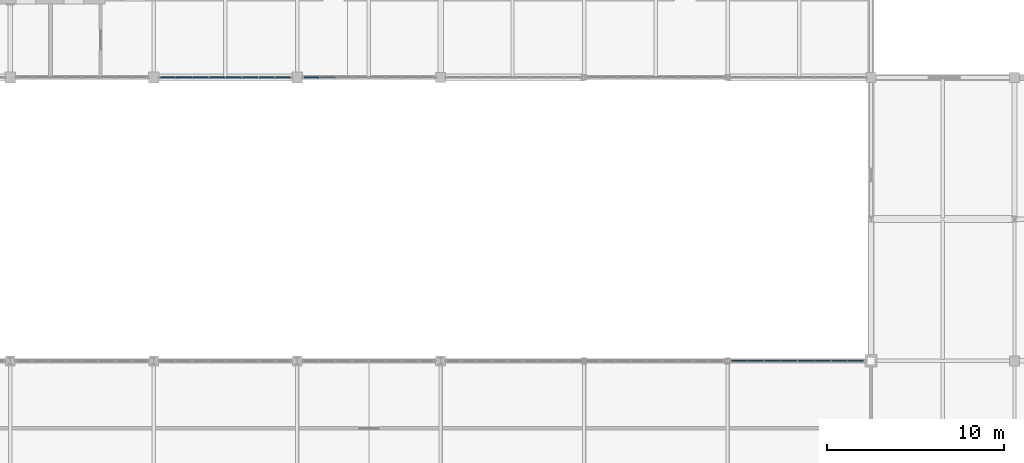
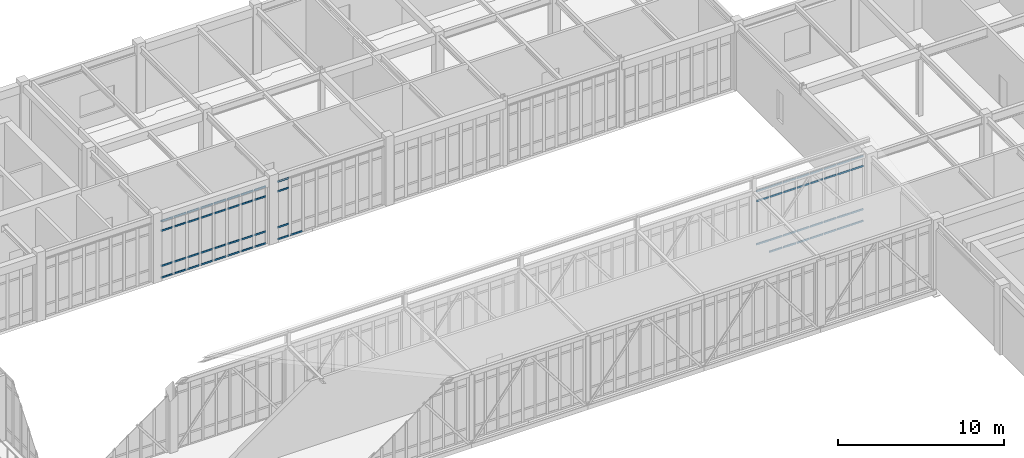
# One storey, part 61 of 107: 68 members, 3 elements without a shape of their own.
"""IFC4 building model written with IfcOpenShell, lengths in metres."""

from ifc_helpers import new_model, si_unit, direction, frame, origin, origin_2d, place, context, subcontext, project, spatial, rectangle, extrude, material, material_profile, profile_set, type_object, element, aggregate, save


model = new_model("IFC4")

# Units and contexts
model_context = context("Model", 3, precision=1e-05, world=origin(), true_north=direction((0.0, 1.0)))
body_context = subcontext(model_context, "Body", "Model", "MODEL_VIEW")
ifc_project = project(units=[si_unit("LENGTHUNIT", "METRE"), si_unit("AREAUNIT", "SQUARE_METRE"), si_unit("VOLUMEUNIT", "CUBIC_METRE"), si_unit("PLANEANGLEUNIT", "RADIAN"), si_unit("MASSUNIT", "GRAM", prefix="KILO")], contexts=[model_context])

# Site, building, storey
site_placement = place(None, origin())
site = spatial("IfcSite", under=ifc_project, at=site_placement, CompositionType="ELEMENT")
building_placement = place(site_placement, origin())
building = spatial("IfcBuilding", under=site, at=building_placement, Name="Tarnveldt Square Police Headquarters", CompositionType="ELEMENT")
storey_placement = place(building_placement, frame((0.0, 0.0, 14.699951171875)))
storey = spatial("IfcBuildingStorey", under=building, at=storey_placement, Name="L03", CompositionType="ELEMENT", Elevation=14.699951171875)

# Curtain wall, members
ifc_material_1 = material(Name="Triple-glazed low-e laminated vision glass", Category="glass")
curtain_wall_type_1 = type_object("IfcCurtainWallType", Name="CW-LB-747x423", PredefinedType="USERDEFINED", material=ifc_material_1)
curtain_wall_1_placement = place(storey_placement, origin())
curtain_wall_1 = element("IfcCurtainWall", 1, at=curtain_wall_1_placement, inside=storey, type_object=curtain_wall_type_1, Name="L03 Curtain Wall CW-L03-121", ObjectType="GLAZED CURTAIN WALL", PredefinedType="USERDEFINED")
ifc_material_2 = material(Name="Thermally broken anodised aluminium 6063-T6", Category="aluminium")
ifc_material_profile = material_profile(ifc_material_2, rectangle(XDim=0.06494140625, YDim=0.1201171875, at=origin_2d()), Name="CW-T65x120")
ifc_profile_set = profile_set([ifc_material_profile], Name="Thermally broken anodised aluminium 6063-T6")
member_type = type_object("IfcMemberType", Name="CWT-65x120", PredefinedType="USERDEFINED", material=ifc_profile_set)
member_1_placement = place(storey_placement, frame((65.18994140625, 96.0, 0.032470703125), z_axis=(1.0, 0.0, 0.0), x_axis=(0.0, 1.0, 0.0)))
member_1 = element("IfcMember", 2, at=member_1_placement, type_object=member_type, Name="CW-LB72 transom 1.1", ObjectType="TRANSOM", PredefinedType="USERDEFINED", context=body_context, shape_type="SweptSolid", body=[
    extrude(rectangle(XDim=0.06494140625, YDim=0.1201171875, at=origin_2d()), origin(), (0.0, 0.0, 1.0), 0.8212890625),
])
member_2_placement = place(storey_placement, frame((65.18994140625, 96.0, 0.900146484375), z_axis=(1.0, 0.0, 0.0), x_axis=(0.0, 1.0, 0.0)))
member_2 = element("IfcMember", 3, at=member_2_placement, type_object=member_type, Name="CW-LB72 transom 1.2", ObjectType="TRANSOM", PredefinedType="USERDEFINED", context=body_context, shape_type="SweptSolid", body=[
    extrude(rectangle(XDim=0.06494140625, YDim=0.1201171875, at=origin_2d()), origin(), (0.0, 0.0, 1.0), 0.8212890625),
])
member_3_placement = place(storey_placement, frame((65.18994140625, 96.0, 3.48193359375), z_axis=(1.0, 0.0, 0.0), x_axis=(0.0, 1.0, 0.0)))
member_3 = element("IfcMember", 4, at=member_3_placement, type_object=member_type, Name="CW-LB72 transom 1.3", ObjectType="TRANSOM", PredefinedType="USERDEFINED", context=body_context, shape_type="SweptSolid", body=[
    extrude(rectangle(XDim=0.06494140625, YDim=0.1201171875, at=origin_2d()), origin(), (0.0, 0.0, 1.0), 0.8212890625),
])
member_4_placement = place(storey_placement, frame((65.18994140625, 96.0, 4.199462890625), z_axis=(1.0, 0.0, 0.0), x_axis=(0.0, 1.0, 0.0)))
member_4 = element("IfcMember", 5, at=member_4_placement, type_object=member_type, Name="CW-LB72 transom 1.4", ObjectType="TRANSOM", PredefinedType="USERDEFINED", context=body_context, shape_type="SweptSolid", body=[
    extrude(rectangle(XDim=0.06494140625, YDim=0.1201171875, at=origin_2d()), origin(), (0.0, 0.0, 1.0), 0.8212890625),
])
member_5_placement = place(storey_placement, frame((66.086181640625, 96.0, 0.032470703125), z_axis=(1.0, 0.0, 0.0), x_axis=(0.0, 1.0, 0.0)))
member_5 = element("IfcMember", 6, at=member_5_placement, type_object=member_type, Name="CW-LB72 transom 2.1", ObjectType="TRANSOM", PredefinedType="USERDEFINED", context=body_context, shape_type="SweptSolid", body=[
    extrude(rectangle(XDim=0.06494140625, YDim=0.1201171875, at=origin_2d()), origin(), (0.0, 0.0, 1.0), 0.85888671875),
])
member_6_placement = place(storey_placement, frame((66.086181640625, 96.0, 0.900146484375), z_axis=(1.0, 0.0, 0.0), x_axis=(0.0, 1.0, 0.0)))
member_6 = element("IfcMember", 7, at=member_6_placement, type_object=member_type, Name="CW-LB72 transom 2.2", ObjectType="TRANSOM", PredefinedType="USERDEFINED", context=body_context, shape_type="SweptSolid", body=[
    extrude(rectangle(XDim=0.06494140625, YDim=0.1201171875, at=origin_2d()), origin(), (0.0, 0.0, 1.0), 0.85888671875),
])
member_7_placement = place(storey_placement, frame((66.086181640625, 96.0, 3.48193359375), z_axis=(1.0, 0.0, 0.0), x_axis=(0.0, 1.0, 0.0)))
member_7 = element("IfcMember", 8, at=member_7_placement, type_object=member_type, Name="CW-LB72 transom 2.3", ObjectType="TRANSOM", PredefinedType="USERDEFINED", context=body_context, shape_type="SweptSolid", body=[
    extrude(rectangle(XDim=0.06494140625, YDim=0.1201171875, at=origin_2d()), origin(), (0.0, 0.0, 1.0), 0.85888671875),
])
member_8_placement = place(storey_placement, frame((66.086181640625, 96.0, 4.199462890625), z_axis=(1.0, 0.0, 0.0), x_axis=(0.0, 1.0, 0.0)))
member_8 = element("IfcMember", 9, at=member_8_placement, type_object=member_type, Name="CW-LB72 transom 2.4", ObjectType="TRANSOM", PredefinedType="USERDEFINED", context=body_context, shape_type="SweptSolid", body=[
    extrude(rectangle(XDim=0.06494140625, YDim=0.1201171875, at=origin_2d()), origin(), (0.0, 0.0, 1.0), 0.85888671875),
])
member_9_placement = place(storey_placement, frame((67.02001953125, 96.0, 0.032470703125), z_axis=(1.0, 0.0, 0.0), x_axis=(0.0, 1.0, 0.0)))
member_9 = element("IfcMember", 10, at=member_9_placement, type_object=member_type, Name="CW-LB72 transom 3.1", ObjectType="TRANSOM", PredefinedType="USERDEFINED", context=body_context, shape_type="SweptSolid", body=[
    extrude(rectangle(XDim=0.06494140625, YDim=0.1201171875, at=origin_2d()), origin(), (0.0, 0.0, 1.0), 0.858642578125),
])
member_10_placement = place(storey_placement, frame((67.02001953125, 96.0, 0.900146484375), z_axis=(1.0, 0.0, 0.0), x_axis=(0.0, 1.0, 0.0)))
member_10 = element("IfcMember", 11, at=member_10_placement, type_object=member_type, Name="CW-LB72 transom 3.2", ObjectType="TRANSOM", PredefinedType="USERDEFINED", context=body_context, shape_type="SweptSolid", body=[
    extrude(rectangle(XDim=0.06494140625, YDim=0.1201171875, at=origin_2d()), origin(), (0.0, 0.0, 1.0), 0.858642578125),
])
member_11_placement = place(storey_placement, frame((67.02001953125, 96.0, 3.48193359375), z_axis=(1.0, 0.0, 0.0), x_axis=(0.0, 1.0, 0.0)))
member_11 = element("IfcMember", 12, at=member_11_placement, type_object=member_type, Name="CW-LB72 transom 3.3", ObjectType="TRANSOM", PredefinedType="USERDEFINED", context=body_context, shape_type="SweptSolid", body=[
    extrude(rectangle(XDim=0.06494140625, YDim=0.1201171875, at=origin_2d()), origin(), (0.0, 0.0, 1.0), 0.858642578125),
])
member_12_placement = place(storey_placement, frame((67.02001953125, 96.0, 4.199462890625), z_axis=(1.0, 0.0, 0.0), x_axis=(0.0, 1.0, 0.0)))
member_12 = element("IfcMember", 13, at=member_12_placement, type_object=member_type, Name="CW-LB72 transom 3.4", ObjectType="TRANSOM", PredefinedType="USERDEFINED", context=body_context, shape_type="SweptSolid", body=[
    extrude(rectangle(XDim=0.06494140625, YDim=0.1201171875, at=origin_2d()), origin(), (0.0, 0.0, 1.0), 0.858642578125),
])
member_13_placement = place(storey_placement, frame((67.953857421875, 96.0, 0.032470703125), z_axis=(1.0, 0.0, 0.0), x_axis=(0.0, 1.0, 0.0)))
member_13 = element("IfcMember", 14, at=member_13_placement, type_object=member_type, Name="CW-LB72 transom 4.1", ObjectType="TRANSOM", PredefinedType="USERDEFINED", context=body_context, shape_type="SweptSolid", body=[
    extrude(rectangle(XDim=0.06494140625, YDim=0.1201171875, at=origin_2d()), origin(), (0.0, 0.0, 1.0), 0.858642578125),
])
member_14_placement = place(storey_placement, frame((67.953857421875, 96.0, 0.900146484375), z_axis=(1.0, 0.0, 0.0), x_axis=(0.0, 1.0, 0.0)))
member_14 = element("IfcMember", 15, at=member_14_placement, type_object=member_type, Name="CW-LB72 transom 4.2", ObjectType="TRANSOM", PredefinedType="USERDEFINED", context=body_context, shape_type="SweptSolid", body=[
    extrude(rectangle(XDim=0.06494140625, YDim=0.1201171875, at=origin_2d()), origin(), (0.0, 0.0, 1.0), 0.858642578125),
])
member_15_placement = place(storey_placement, frame((67.953857421875, 96.0, 3.48193359375), z_axis=(1.0, 0.0, 0.0), x_axis=(0.0, 1.0, 0.0)))
member_15 = element("IfcMember", 16, at=member_15_placement, type_object=member_type, Name="CW-LB72 transom 4.3", ObjectType="TRANSOM", PredefinedType="USERDEFINED", context=body_context, shape_type="SweptSolid", body=[
    extrude(rectangle(XDim=0.06494140625, YDim=0.1201171875, at=origin_2d()), origin(), (0.0, 0.0, 1.0), 0.858642578125),
])
member_16_placement = place(storey_placement, frame((67.953857421875, 96.0, 4.199462890625), z_axis=(1.0, 0.0, 0.0), x_axis=(0.0, 1.0, 0.0)))
member_16 = element("IfcMember", 17, at=member_16_placement, type_object=member_type, Name="CW-LB72 transom 4.4", ObjectType="TRANSOM", PredefinedType="USERDEFINED", context=body_context, shape_type="SweptSolid", body=[
    extrude(rectangle(XDim=0.06494140625, YDim=0.1201171875, at=origin_2d()), origin(), (0.0, 0.0, 1.0), 0.858642578125),
])
member_17_placement = place(storey_placement, frame((68.887451171875, 96.0, 0.032470703125), z_axis=(1.0, 0.0, 0.0), x_axis=(0.0, 1.0, 0.0)))
member_17 = element("IfcMember", 18, at=member_17_placement, type_object=member_type, Name="CW-LB72 transom 5.1", ObjectType="TRANSOM", PredefinedType="USERDEFINED", context=body_context, shape_type="SweptSolid", body=[
    extrude(rectangle(XDim=0.06494140625, YDim=0.1201171875, at=origin_2d()), origin(), (0.0, 0.0, 1.0), 0.85888671875),
])
member_18_placement = place(storey_placement, frame((68.887451171875, 96.0, 0.900146484375), z_axis=(1.0, 0.0, 0.0), x_axis=(0.0, 1.0, 0.0)))
member_18 = element("IfcMember", 19, at=member_18_placement, type_object=member_type, Name="CW-LB72 transom 5.2", ObjectType="TRANSOM", PredefinedType="USERDEFINED", context=body_context, shape_type="SweptSolid", body=[
    extrude(rectangle(XDim=0.06494140625, YDim=0.1201171875, at=origin_2d()), origin(), (0.0, 0.0, 1.0), 0.85888671875),
])
member_19_placement = place(storey_placement, frame((68.887451171875, 96.0, 3.48193359375), z_axis=(1.0, 0.0, 0.0), x_axis=(0.0, 1.0, 0.0)))
member_19 = element("IfcMember", 20, at=member_19_placement, type_object=member_type, Name="CW-LB72 transom 5.3", ObjectType="TRANSOM", PredefinedType="USERDEFINED", context=body_context, shape_type="SweptSolid", body=[
    extrude(rectangle(XDim=0.06494140625, YDim=0.1201171875, at=origin_2d()), origin(), (0.0, 0.0, 1.0), 0.85888671875),
])
member_20_placement = place(storey_placement, frame((68.887451171875, 96.0, 4.199462890625), z_axis=(1.0, 0.0, 0.0), x_axis=(0.0, 1.0, 0.0)))
member_20 = element("IfcMember", 21, at=member_20_placement, type_object=member_type, Name="CW-LB72 transom 5.4", ObjectType="TRANSOM", PredefinedType="USERDEFINED", context=body_context, shape_type="SweptSolid", body=[
    extrude(rectangle(XDim=0.06494140625, YDim=0.1201171875, at=origin_2d()), origin(), (0.0, 0.0, 1.0), 0.85888671875),
])
member_21_placement = place(storey_placement, frame((69.8212890625, 96.0, 0.032470703125), z_axis=(1.0, 0.0, 0.0), x_axis=(0.0, 1.0, 0.0)))
member_21 = element("IfcMember", 22, at=member_21_placement, type_object=member_type, Name="CW-LB72 transom 6.1", ObjectType="TRANSOM", PredefinedType="USERDEFINED", context=body_context, shape_type="SweptSolid", body=[
    extrude(rectangle(XDim=0.06494140625, YDim=0.1201171875, at=origin_2d()), origin(), (0.0, 0.0, 1.0), 0.858642578125),
])
member_22_placement = place(storey_placement, frame((69.8212890625, 96.0, 0.900146484375), z_axis=(1.0, 0.0, 0.0), x_axis=(0.0, 1.0, 0.0)))
member_22 = element("IfcMember", 23, at=member_22_placement, type_object=member_type, Name="CW-LB72 transom 6.2", ObjectType="TRANSOM", PredefinedType="USERDEFINED", context=body_context, shape_type="SweptSolid", body=[
    extrude(rectangle(XDim=0.06494140625, YDim=0.1201171875, at=origin_2d()), origin(), (0.0, 0.0, 1.0), 0.858642578125),
])
member_23_placement = place(storey_placement, frame((69.8212890625, 96.0, 3.48193359375), z_axis=(1.0, 0.0, 0.0), x_axis=(0.0, 1.0, 0.0)))
member_23 = element("IfcMember", 24, at=member_23_placement, type_object=member_type, Name="CW-LB72 transom 6.3", ObjectType="TRANSOM", PredefinedType="USERDEFINED", context=body_context, shape_type="SweptSolid", body=[
    extrude(rectangle(XDim=0.06494140625, YDim=0.1201171875, at=origin_2d()), origin(), (0.0, 0.0, 1.0), 0.858642578125),
])
member_24_placement = place(storey_placement, frame((69.8212890625, 96.0, 4.199462890625), z_axis=(1.0, 0.0, 0.0), x_axis=(0.0, 1.0, 0.0)))
member_24 = element("IfcMember", 25, at=member_24_placement, type_object=member_type, Name="CW-LB72 transom 6.4", ObjectType="TRANSOM", PredefinedType="USERDEFINED", context=body_context, shape_type="SweptSolid", body=[
    extrude(rectangle(XDim=0.06494140625, YDim=0.1201171875, at=origin_2d()), origin(), (0.0, 0.0, 1.0), 0.858642578125),
])
member_25_placement = place(storey_placement, frame((70.7548828125, 96.0, 0.032470703125), z_axis=(1.0, 0.0, 0.0), x_axis=(0.0, 1.0, 0.0)))
member_25 = element("IfcMember", 26, at=member_25_placement, type_object=member_type, Name="CW-LB72 transom 7.1", ObjectType="TRANSOM", PredefinedType="USERDEFINED", context=body_context, shape_type="SweptSolid", body=[
    extrude(rectangle(XDim=0.06494140625, YDim=0.1201171875, at=origin_2d()), origin(), (0.0, 0.0, 1.0), 0.85888671875),
])
member_26_placement = place(storey_placement, frame((70.7548828125, 96.0, 0.900146484375), z_axis=(1.0, 0.0, 0.0), x_axis=(0.0, 1.0, 0.0)))
member_26 = element("IfcMember", 27, at=member_26_placement, type_object=member_type, Name="CW-LB72 transom 7.2", ObjectType="TRANSOM", PredefinedType="USERDEFINED", context=body_context, shape_type="SweptSolid", body=[
    extrude(rectangle(XDim=0.06494140625, YDim=0.1201171875, at=origin_2d()), origin(), (0.0, 0.0, 1.0), 0.85888671875),
])
member_27_placement = place(storey_placement, frame((70.7548828125, 96.0, 3.48193359375), z_axis=(1.0, 0.0, 0.0), x_axis=(0.0, 1.0, 0.0)))
member_27 = element("IfcMember", 28, at=member_27_placement, type_object=member_type, Name="CW-LB72 transom 7.3", ObjectType="TRANSOM", PredefinedType="USERDEFINED", context=body_context, shape_type="SweptSolid", body=[
    extrude(rectangle(XDim=0.06494140625, YDim=0.1201171875, at=origin_2d()), origin(), (0.0, 0.0, 1.0), 0.85888671875),
])
member_28_placement = place(storey_placement, frame((70.7548828125, 96.0, 4.199462890625), z_axis=(1.0, 0.0, 0.0), x_axis=(0.0, 1.0, 0.0)))
member_28 = element("IfcMember", 29, at=member_28_placement, type_object=member_type, Name="CW-LB72 transom 7.4", ObjectType="TRANSOM", PredefinedType="USERDEFINED", context=body_context, shape_type="SweptSolid", body=[
    extrude(rectangle(XDim=0.06494140625, YDim=0.1201171875, at=origin_2d()), origin(), (0.0, 0.0, 1.0), 0.85888671875),
])
member_29_placement = place(storey_placement, frame((71.688720703125, 96.0, 0.032470703125), z_axis=(1.0, 0.0, 0.0), x_axis=(0.0, 1.0, 0.0)))
member_29 = element("IfcMember", 30, at=member_29_placement, type_object=member_type, Name="CW-LB72 transom 8.1", ObjectType="TRANSOM", PredefinedType="USERDEFINED", context=body_context, shape_type="SweptSolid", body=[
    extrude(rectangle(XDim=0.06494140625, YDim=0.1201171875, at=origin_2d()), origin(), (0.0, 0.0, 1.0), 0.8212890625),
])
member_30_placement = place(storey_placement, frame((71.688720703125, 96.0, 0.900146484375), z_axis=(1.0, 0.0, 0.0), x_axis=(0.0, 1.0, 0.0)))
member_30 = element("IfcMember", 31, at=member_30_placement, type_object=member_type, Name="CW-LB72 transom 8.2", ObjectType="TRANSOM", PredefinedType="USERDEFINED", context=body_context, shape_type="SweptSolid", body=[
    extrude(rectangle(XDim=0.06494140625, YDim=0.1201171875, at=origin_2d()), origin(), (0.0, 0.0, 1.0), 0.8212890625),
])
member_31_placement = place(storey_placement, frame((71.688720703125, 96.0, 3.48193359375), z_axis=(1.0, 0.0, 0.0), x_axis=(0.0, 1.0, 0.0)))
member_31 = element("IfcMember", 32, at=member_31_placement, type_object=member_type, Name="CW-LB72 transom 8.3", ObjectType="TRANSOM", PredefinedType="USERDEFINED", context=body_context, shape_type="SweptSolid", body=[
    extrude(rectangle(XDim=0.06494140625, YDim=0.1201171875, at=origin_2d()), origin(), (0.0, 0.0, 1.0), 0.8212890625),
])
member_32_placement = place(storey_placement, frame((71.688720703125, 96.0, 4.199462890625), z_axis=(1.0, 0.0, 0.0), x_axis=(0.0, 1.0, 0.0)))
member_32 = element("IfcMember", 33, at=member_32_placement, type_object=member_type, Name="CW-LB72 transom 8.4", ObjectType="TRANSOM", PredefinedType="USERDEFINED", context=body_context, shape_type="SweptSolid", body=[
    extrude(rectangle(XDim=0.06494140625, YDim=0.1201171875, at=origin_2d()), origin(), (0.0, 0.0, 1.0), 0.8212890625),
])
aggregate(curtain_wall_1, [member_1, member_2, member_3, member_4, member_5, member_6, member_7, member_8, member_9, member_10, member_11, member_12, member_13, member_14, member_15, member_16, member_17, member_18, member_19, member_20, member_21, member_22, member_23, member_24, member_25, member_26, member_27, member_28, member_29, member_30, member_31, member_32])

curtain_wall_type_2 = type_object("IfcCurtainWallType", Name="CW-LB-749x430", PredefinedType="USERDEFINED", material=ifc_material_1)
curtain_wall_2_placement = place(storey_placement, origin())
curtain_wall_2 = element("IfcCurtainWall", 34, at=curtain_wall_2_placement, inside=storey, type_object=curtain_wall_type_2, Name="L03 Curtain Wall CW-L03-122", ObjectType="GLAZED CURTAIN WALL", PredefinedType="USERDEFINED")
member_33_placement = place(storey_placement, frame((73.2900390625, 96.0, 0.032470703125), z_axis=(1.0, 0.0, 0.0), x_axis=(0.0, 1.0, 0.0)))
member_33 = element("IfcMember", 35, at=member_33_placement, type_object=member_type, Name="CW-LB73 transom 1.1", ObjectType="TRANSOM", PredefinedType="USERDEFINED", context=body_context, shape_type="SweptSolid", body=[
    extrude(rectangle(XDim=0.06494140625, YDim=0.1201171875, at=origin_2d()), origin(), (0.0, 0.0, 1.0), 0.82421875),
])
member_34_placement = place(storey_placement, frame((73.2900390625, 96.0, 0.900146484375), z_axis=(1.0, 0.0, 0.0), x_axis=(0.0, 1.0, 0.0)))
member_34 = element("IfcMember", 36, at=member_34_placement, type_object=member_type, Name="CW-LB73 transom 1.2", ObjectType="TRANSOM", PredefinedType="USERDEFINED", context=body_context, shape_type="SweptSolid", body=[
    extrude(rectangle(XDim=0.06494140625, YDim=0.1201171875, at=origin_2d()), origin(), (0.0, 0.0, 1.0), 0.82421875),
])
member_35_placement = place(storey_placement, frame((73.2900390625, 96.0, 3.549072265625), z_axis=(1.0, 0.0, 0.0), x_axis=(0.0, 1.0, 0.0)))
member_35 = element("IfcMember", 37, at=member_35_placement, type_object=member_type, Name="CW-LB73 transom 1.3", ObjectType="TRANSOM", PredefinedType="USERDEFINED", context=body_context, shape_type="SweptSolid", body=[
    extrude(rectangle(XDim=0.06494140625, YDim=0.1201171875, at=origin_2d()), origin(), (0.0, 0.0, 1.0), 0.82421875),
])
member_36_placement = place(storey_placement, frame((73.2900390625, 96.0, 4.2666015625), z_axis=(1.0, 0.0, 0.0), x_axis=(0.0, 1.0, 0.0)))
member_36 = element("IfcMember", 38, at=member_36_placement, type_object=member_type, Name="CW-LB73 transom 1.4", ObjectType="TRANSOM", PredefinedType="USERDEFINED", context=body_context, shape_type="SweptSolid", body=[
    extrude(rectangle(XDim=0.06494140625, YDim=0.1201171875, at=origin_2d()), origin(), (0.0, 0.0, 1.0), 0.82421875),
])
member_37_placement = place(storey_placement, frame((74.189453125, 96.0, 0.032470703125), z_axis=(1.0, 0.0, 0.0), x_axis=(0.0, 1.0, 0.0)))
member_37 = element("IfcMember", 39, at=member_37_placement, type_object=member_type, Name="CW-LB73 transom 2.1", ObjectType="TRANSOM", PredefinedType="USERDEFINED", context=body_context, shape_type="SweptSolid", body=[
    extrude(rectangle(XDim=0.06494140625, YDim=0.1201171875, at=origin_2d()), origin(), (0.0, 0.0, 1.0), 0.86181640625),
])
aggregate(curtain_wall_2, [member_33, member_34, member_35, member_36, member_37])

curtain_wall_type_3 = type_object("IfcCurtainWallType", Name="CW-SB-757x484", PredefinedType="USERDEFINED", material=ifc_material_1)
curtain_wall_3_placement = place(storey_placement, origin())
curtain_wall_3 = element("IfcCurtainWall", 40, at=curtain_wall_3_placement, inside=storey, type_object=curtain_wall_type_3, Name="L03 Curtain Wall CW-L03-165", ObjectType="GLAZED CURTAIN WALL", PredefinedType="USERDEFINED")
member_38_placement = place(storey_placement, frame((97.43408203125, 80.0, 0.900146484375), z_axis=(1.0, 0.0, 0.0), x_axis=(0.0, 1.0, 0.0)))
member_38 = element("IfcMember", 41, at=member_38_placement, type_object=member_type, Name="CW-SB89 transom 1.2", ObjectType="TRANSOM", PredefinedType="USERDEFINED", context=body_context, shape_type="SweptSolid", body=[
    extrude(rectangle(XDim=0.06494140625, YDim=0.1201171875, at=origin_2d()), origin(), (0.0, 0.0, 1.0), 0.84814453125),
])
member_39_placement = place(storey_placement, frame((97.43408203125, 80.0, 4.090087890625), z_axis=(1.0, 0.0, 0.0), x_axis=(0.0, 1.0, 0.0)))
member_39 = element("IfcMember", 42, at=member_39_placement, type_object=member_type, Name="CW-SB89 transom 1.3", ObjectType="TRANSOM", PredefinedType="USERDEFINED", context=body_context, shape_type="SweptSolid", body=[
    extrude(rectangle(XDim=0.06494140625, YDim=0.1201171875, at=origin_2d()), origin(), (0.0, 0.0, 1.0), 0.84814453125),
])
member_40_placement = place(storey_placement, frame((97.43408203125, 80.0, 4.8076171875), z_axis=(1.0, 0.0, 0.0), x_axis=(0.0, 1.0, 0.0)))
member_40 = element("IfcMember", 43, at=member_40_placement, type_object=member_type, Name="CW-SB89 transom 1.4", ObjectType="TRANSOM", PredefinedType="USERDEFINED", context=body_context, shape_type="SweptSolid", body=[
    extrude(rectangle(XDim=0.06494140625, YDim=0.1201171875, at=origin_2d()), origin(), (0.0, 0.0, 1.0), 0.84814453125),
])
member_41_placement = place(storey_placement, frame((98.34716796875, 80.0, 0.032470703125), z_axis=(1.0, 0.0, 0.0), x_axis=(0.0, 1.0, 0.0)))
member_41 = element("IfcMember", 44, at=member_41_placement, type_object=member_type, Name="CW-SB89 transom 2.1", ObjectType="TRANSOM", PredefinedType="USERDEFINED", context=body_context, shape_type="SweptSolid", body=[
    extrude(rectangle(XDim=0.06494140625, YDim=0.1201171875, at=origin_2d()), origin(), (0.0, 0.0, 1.0), 0.880859375),
])
member_42_placement = place(storey_placement, frame((98.34716796875, 80.0, 0.900146484375), z_axis=(1.0, 0.0, 0.0), x_axis=(0.0, 1.0, 0.0)))
member_42 = element("IfcMember", 45, at=member_42_placement, type_object=member_type, Name="CW-SB89 transom 2.2", ObjectType="TRANSOM", PredefinedType="USERDEFINED", context=body_context, shape_type="SweptSolid", body=[
    extrude(rectangle(XDim=0.06494140625, YDim=0.1201171875, at=origin_2d()), origin(), (0.0, 0.0, 1.0), 0.880859375),
])
member_43_placement = place(storey_placement, frame((98.34716796875, 80.0, 4.090087890625), z_axis=(1.0, 0.0, 0.0), x_axis=(0.0, 1.0, 0.0)))
member_43 = element("IfcMember", 46, at=member_43_placement, type_object=member_type, Name="CW-SB89 transom 2.3", ObjectType="TRANSOM", PredefinedType="USERDEFINED", context=body_context, shape_type="SweptSolid", body=[
    extrude(rectangle(XDim=0.06494140625, YDim=0.1201171875, at=origin_2d()), origin(), (0.0, 0.0, 1.0), 0.880859375),
])
member_44_placement = place(storey_placement, frame((98.34716796875, 80.0, 4.8076171875), z_axis=(1.0, 0.0, 0.0), x_axis=(0.0, 1.0, 0.0)))
member_44 = element("IfcMember", 47, at=member_44_placement, type_object=member_type, Name="CW-SB89 transom 2.4", ObjectType="TRANSOM", PredefinedType="USERDEFINED", context=body_context, shape_type="SweptSolid", body=[
    extrude(rectangle(XDim=0.06494140625, YDim=0.1201171875, at=origin_2d()), origin(), (0.0, 0.0, 1.0), 0.880859375),
])
member_45_placement = place(storey_placement, frame((99.29296875, 80.0, 0.032470703125), z_axis=(1.0, 0.0, 0.0), x_axis=(0.0, 1.0, 0.0)))
member_45 = element("IfcMember", 48, at=member_45_placement, type_object=member_type, Name="CW-SB89 transom 3.1", ObjectType="TRANSOM", PredefinedType="USERDEFINED", context=body_context, shape_type="SweptSolid", body=[
    extrude(rectangle(XDim=0.06494140625, YDim=0.1201171875, at=origin_2d()), origin(), (0.0, 0.0, 1.0), 0.880859375),
])
member_46_placement = place(storey_placement, frame((99.29296875, 80.0, 0.900146484375), z_axis=(1.0, 0.0, 0.0), x_axis=(0.0, 1.0, 0.0)))
member_46 = element("IfcMember", 49, at=member_46_placement, type_object=member_type, Name="CW-SB89 transom 3.2", ObjectType="TRANSOM", PredefinedType="USERDEFINED", context=body_context, shape_type="SweptSolid", body=[
    extrude(rectangle(XDim=0.06494140625, YDim=0.1201171875, at=origin_2d()), origin(), (0.0, 0.0, 1.0), 0.880859375),
])
member_47_placement = place(storey_placement, frame((99.29296875, 80.0, 4.090087890625), z_axis=(1.0, 0.0, 0.0), x_axis=(0.0, 1.0, 0.0)))
member_47 = element("IfcMember", 50, at=member_47_placement, type_object=member_type, Name="CW-SB89 transom 3.3", ObjectType="TRANSOM", PredefinedType="USERDEFINED", context=body_context, shape_type="SweptSolid", body=[
    extrude(rectangle(XDim=0.06494140625, YDim=0.1201171875, at=origin_2d()), origin(), (0.0, 0.0, 1.0), 0.880859375),
])
member_48_placement = place(storey_placement, frame((99.29296875, 80.0, 4.8076171875), z_axis=(1.0, 0.0, 0.0), x_axis=(0.0, 1.0, 0.0)))
member_48 = element("IfcMember", 51, at=member_48_placement, type_object=member_type, Name="CW-SB89 transom 3.4", ObjectType="TRANSOM", PredefinedType="USERDEFINED", context=body_context, shape_type="SweptSolid", body=[
    extrude(rectangle(XDim=0.06494140625, YDim=0.1201171875, at=origin_2d()), origin(), (0.0, 0.0, 1.0), 0.880859375),
])
member_49_placement = place(storey_placement, frame((100.23876953125, 80.0, 0.032470703125), z_axis=(1.0, 0.0, 0.0), x_axis=(0.0, 1.0, 0.0)))
member_49 = element("IfcMember", 52, at=member_49_placement, type_object=member_type, Name="CW-SB89 transom 4.1", ObjectType="TRANSOM", PredefinedType="USERDEFINED", context=body_context, shape_type="SweptSolid", body=[
    extrude(rectangle(XDim=0.06494140625, YDim=0.1201171875, at=origin_2d()), origin(), (0.0, 0.0, 1.0), 0.880615234375),
])
member_50_placement = place(storey_placement, frame((100.23876953125, 80.0, 0.900146484375), z_axis=(1.0, 0.0, 0.0), x_axis=(0.0, 1.0, 0.0)))
member_50 = element("IfcMember", 53, at=member_50_placement, type_object=member_type, Name="CW-SB89 transom 4.2", ObjectType="TRANSOM", PredefinedType="USERDEFINED", context=body_context, shape_type="SweptSolid", body=[
    extrude(rectangle(XDim=0.06494140625, YDim=0.1201171875, at=origin_2d()), origin(), (0.0, 0.0, 1.0), 0.880615234375),
])
member_51_placement = place(storey_placement, frame((100.23876953125, 80.0, 4.090087890625), z_axis=(1.0, 0.0, 0.0), x_axis=(0.0, 1.0, 0.0)))
member_51 = element("IfcMember", 54, at=member_51_placement, type_object=member_type, Name="CW-SB89 transom 4.3", ObjectType="TRANSOM", PredefinedType="USERDEFINED", context=body_context, shape_type="SweptSolid", body=[
    extrude(rectangle(XDim=0.06494140625, YDim=0.1201171875, at=origin_2d()), origin(), (0.0, 0.0, 1.0), 0.880615234375),
])
member_52_placement = place(storey_placement, frame((100.23876953125, 80.0, 4.8076171875), z_axis=(1.0, 0.0, 0.0), x_axis=(0.0, 1.0, 0.0)))
member_52 = element("IfcMember", 55, at=member_52_placement, type_object=member_type, Name="CW-SB89 transom 4.4", ObjectType="TRANSOM", PredefinedType="USERDEFINED", context=body_context, shape_type="SweptSolid", body=[
    extrude(rectangle(XDim=0.06494140625, YDim=0.1201171875, at=origin_2d()), origin(), (0.0, 0.0, 1.0), 0.880615234375),
])
member_53_placement = place(storey_placement, frame((101.1845703125, 80.0, 0.032470703125), z_axis=(1.0, 0.0, 0.0), x_axis=(0.0, 1.0, 0.0)))
member_53 = element("IfcMember", 56, at=member_53_placement, type_object=member_type, Name="CW-SB89 transom 5.1", ObjectType="TRANSOM", PredefinedType="USERDEFINED", context=body_context, shape_type="SweptSolid", body=[
    extrude(rectangle(XDim=0.06494140625, YDim=0.1201171875, at=origin_2d()), origin(), (0.0, 0.0, 1.0), 0.880615234375),
])
member_54_placement = place(storey_placement, frame((101.1845703125, 80.0, 0.900146484375), z_axis=(1.0, 0.0, 0.0), x_axis=(0.0, 1.0, 0.0)))
member_54 = element("IfcMember", 57, at=member_54_placement, type_object=member_type, Name="CW-SB89 transom 5.2", ObjectType="TRANSOM", PredefinedType="USERDEFINED", context=body_context, shape_type="SweptSolid", body=[
    extrude(rectangle(XDim=0.06494140625, YDim=0.1201171875, at=origin_2d()), origin(), (0.0, 0.0, 1.0), 0.880615234375),
])
member_55_placement = place(storey_placement, frame((101.1845703125, 80.0, 4.090087890625), z_axis=(1.0, 0.0, 0.0), x_axis=(0.0, 1.0, 0.0)))
member_55 = element("IfcMember", 58, at=member_55_placement, type_object=member_type, Name="CW-SB89 transom 5.3", ObjectType="TRANSOM", PredefinedType="USERDEFINED", context=body_context, shape_type="SweptSolid", body=[
    extrude(rectangle(XDim=0.06494140625, YDim=0.1201171875, at=origin_2d()), origin(), (0.0, 0.0, 1.0), 0.880615234375),
])
member_56_placement = place(storey_placement, frame((101.1845703125, 80.0, 4.8076171875), z_axis=(1.0, 0.0, 0.0), x_axis=(0.0, 1.0, 0.0)))
member_56 = element("IfcMember", 59, at=member_56_placement, type_object=member_type, Name="CW-SB89 transom 5.4", ObjectType="TRANSOM", PredefinedType="USERDEFINED", context=body_context, shape_type="SweptSolid", body=[
    extrude(rectangle(XDim=0.06494140625, YDim=0.1201171875, at=origin_2d()), origin(), (0.0, 0.0, 1.0), 0.880615234375),
])
member_57_placement = place(storey_placement, frame((102.13037109375, 80.0, 0.032470703125), z_axis=(1.0, 0.0, 0.0), x_axis=(0.0, 1.0, 0.0)))
member_57 = element("IfcMember", 60, at=member_57_placement, type_object=member_type, Name="CW-SB89 transom 6.1", ObjectType="TRANSOM", PredefinedType="USERDEFINED", context=body_context, shape_type="SweptSolid", body=[
    extrude(rectangle(XDim=0.06494140625, YDim=0.1201171875, at=origin_2d()), origin(), (0.0, 0.0, 1.0), 0.880615234375),
])
member_58_placement = place(storey_placement, frame((102.13037109375, 80.0, 0.900146484375), z_axis=(1.0, 0.0, 0.0), x_axis=(0.0, 1.0, 0.0)))
member_58 = element("IfcMember", 61, at=member_58_placement, type_object=member_type, Name="CW-SB89 transom 6.2", ObjectType="TRANSOM", PredefinedType="USERDEFINED", context=body_context, shape_type="SweptSolid", body=[
    extrude(rectangle(XDim=0.06494140625, YDim=0.1201171875, at=origin_2d()), origin(), (0.0, 0.0, 1.0), 0.880615234375),
])
member_59_placement = place(storey_placement, frame((102.13037109375, 80.0, 4.090087890625), z_axis=(1.0, 0.0, 0.0), x_axis=(0.0, 1.0, 0.0)))
member_59 = element("IfcMember", 62, at=member_59_placement, type_object=member_type, Name="CW-SB89 transom 6.3", ObjectType="TRANSOM", PredefinedType="USERDEFINED", context=body_context, shape_type="SweptSolid", body=[
    extrude(rectangle(XDim=0.06494140625, YDim=0.1201171875, at=origin_2d()), origin(), (0.0, 0.0, 1.0), 0.880615234375),
])
member_60_placement = place(storey_placement, frame((102.13037109375, 80.0, 4.8076171875), z_axis=(1.0, 0.0, 0.0), x_axis=(0.0, 1.0, 0.0)))
member_60 = element("IfcMember", 63, at=member_60_placement, type_object=member_type, Name="CW-SB89 transom 6.4", ObjectType="TRANSOM", PredefinedType="USERDEFINED", context=body_context, shape_type="SweptSolid", body=[
    extrude(rectangle(XDim=0.06494140625, YDim=0.1201171875, at=origin_2d()), origin(), (0.0, 0.0, 1.0), 0.880615234375),
])
member_61_placement = place(storey_placement, frame((103.075927734375, 80.0, 0.032470703125), z_axis=(1.0, 0.0, 0.0), x_axis=(0.0, 1.0, 0.0)))
member_61 = element("IfcMember", 64, at=member_61_placement, type_object=member_type, Name="CW-SB89 transom 7.1", ObjectType="TRANSOM", PredefinedType="USERDEFINED", context=body_context, shape_type="SweptSolid", body=[
    extrude(rectangle(XDim=0.06494140625, YDim=0.1201171875, at=origin_2d()), origin(), (0.0, 0.0, 1.0), 0.880859375),
])
member_62_placement = place(storey_placement, frame((103.075927734375, 80.0, 0.900146484375), z_axis=(1.0, 0.0, 0.0), x_axis=(0.0, 1.0, 0.0)))
member_62 = element("IfcMember", 65, at=member_62_placement, type_object=member_type, Name="CW-SB89 transom 7.2", ObjectType="TRANSOM", PredefinedType="USERDEFINED", context=body_context, shape_type="SweptSolid", body=[
    extrude(rectangle(XDim=0.06494140625, YDim=0.1201171875, at=origin_2d()), origin(), (0.0, 0.0, 1.0), 0.880859375),
])
member_63_placement = place(storey_placement, frame((103.075927734375, 80.0, 4.090087890625), z_axis=(1.0, 0.0, 0.0), x_axis=(0.0, 1.0, 0.0)))
member_63 = element("IfcMember", 66, at=member_63_placement, type_object=member_type, Name="CW-SB89 transom 7.3", ObjectType="TRANSOM", PredefinedType="USERDEFINED", context=body_context, shape_type="SweptSolid", body=[
    extrude(rectangle(XDim=0.06494140625, YDim=0.1201171875, at=origin_2d()), origin(), (0.0, 0.0, 1.0), 0.880859375),
])
member_64_placement = place(storey_placement, frame((103.075927734375, 80.0, 4.8076171875), z_axis=(1.0, 0.0, 0.0), x_axis=(0.0, 1.0, 0.0)))
member_64 = element("IfcMember", 67, at=member_64_placement, type_object=member_type, Name="CW-SB89 transom 7.4", ObjectType="TRANSOM", PredefinedType="USERDEFINED", context=body_context, shape_type="SweptSolid", body=[
    extrude(rectangle(XDim=0.06494140625, YDim=0.1201171875, at=origin_2d()), origin(), (0.0, 0.0, 1.0), 0.880859375),
])
member_65_placement = place(storey_placement, frame((104.021728515625, 80.0, 0.032470703125), z_axis=(1.0, 0.0, 0.0), x_axis=(0.0, 1.0, 0.0)))
member_65 = element("IfcMember", 68, at=member_65_placement, type_object=member_type, Name="CW-SB89 transom 8.1", ObjectType="TRANSOM", PredefinedType="USERDEFINED", context=body_context, shape_type="SweptSolid", body=[
    extrude(rectangle(XDim=0.06494140625, YDim=0.1201171875, at=origin_2d()), origin(), (0.0, 0.0, 1.0), 0.848388671875),
])
member_66_placement = place(storey_placement, frame((104.021728515625, 80.0, 0.900146484375), z_axis=(1.0, 0.0, 0.0), x_axis=(0.0, 1.0, 0.0)))
member_66 = element("IfcMember", 69, at=member_66_placement, type_object=member_type, Name="CW-SB89 transom 8.2", ObjectType="TRANSOM", PredefinedType="USERDEFINED", context=body_context, shape_type="SweptSolid", body=[
    extrude(rectangle(XDim=0.06494140625, YDim=0.1201171875, at=origin_2d()), origin(), (0.0, 0.0, 1.0), 0.848388671875),
])
member_67_placement = place(storey_placement, frame((104.021728515625, 80.0, 4.090087890625), z_axis=(1.0, 0.0, 0.0), x_axis=(0.0, 1.0, 0.0)))
member_67 = element("IfcMember", 70, at=member_67_placement, type_object=member_type, Name="CW-SB89 transom 8.3", ObjectType="TRANSOM", PredefinedType="USERDEFINED", context=body_context, shape_type="SweptSolid", body=[
    extrude(rectangle(XDim=0.06494140625, YDim=0.1201171875, at=origin_2d()), origin(), (0.0, 0.0, 1.0), 0.848388671875),
])
member_68_placement = place(storey_placement, frame((104.021728515625, 80.0, 4.8076171875), z_axis=(1.0, 0.0, 0.0), x_axis=(0.0, 1.0, 0.0)))
member_68 = element("IfcMember", 71, at=member_68_placement, type_object=member_type, Name="CW-SB89 transom 8.4", ObjectType="TRANSOM", PredefinedType="USERDEFINED", context=body_context, shape_type="SweptSolid", body=[
    extrude(rectangle(XDim=0.06494140625, YDim=0.1201171875, at=origin_2d()), origin(), (0.0, 0.0, 1.0), 0.848388671875),
])
aggregate(curtain_wall_3, [member_38, member_39, member_40, member_41, member_42, member_43, member_44, member_45, member_46, member_47, member_48, member_49, member_50, member_51, member_52, member_53, member_54, member_55, member_56, member_57, member_58, member_59, member_60, member_61, member_62, member_63, member_64, member_65, member_66, member_67, member_68])

save(model, "model.ifc")
